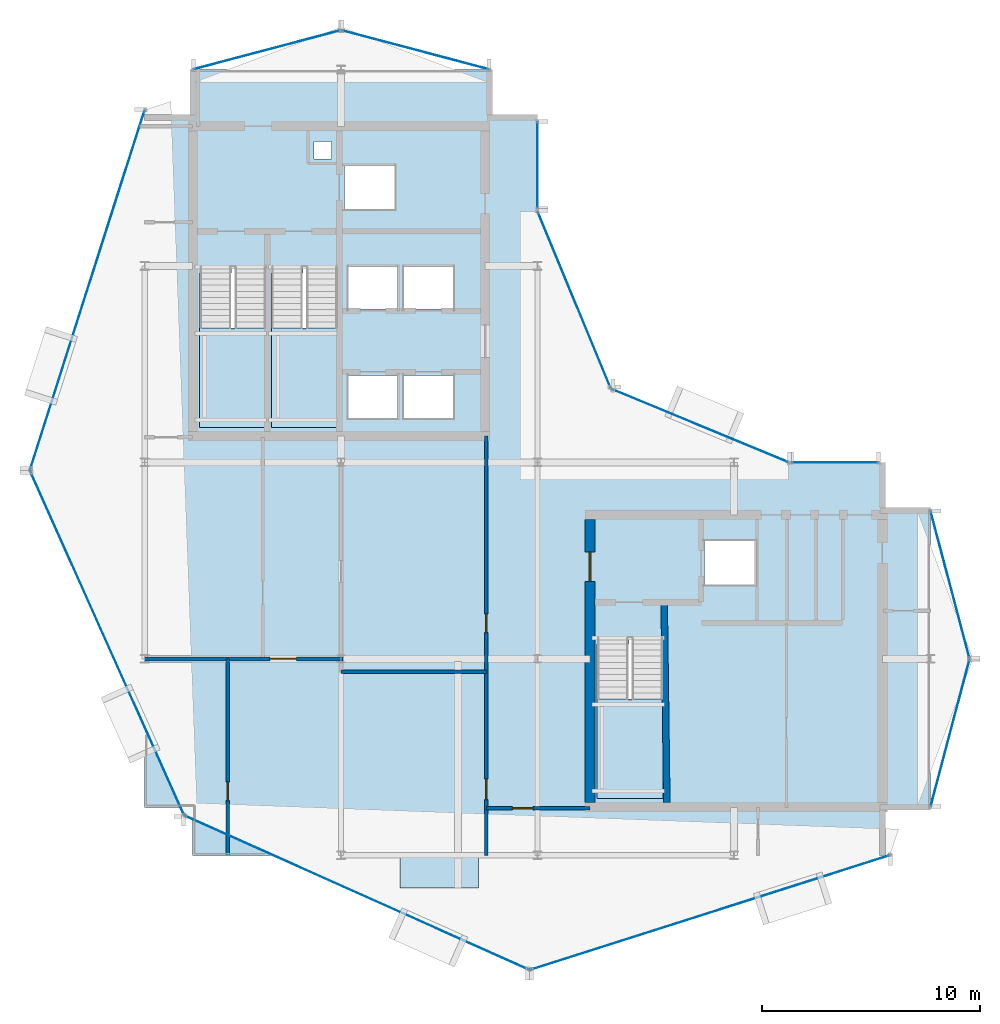
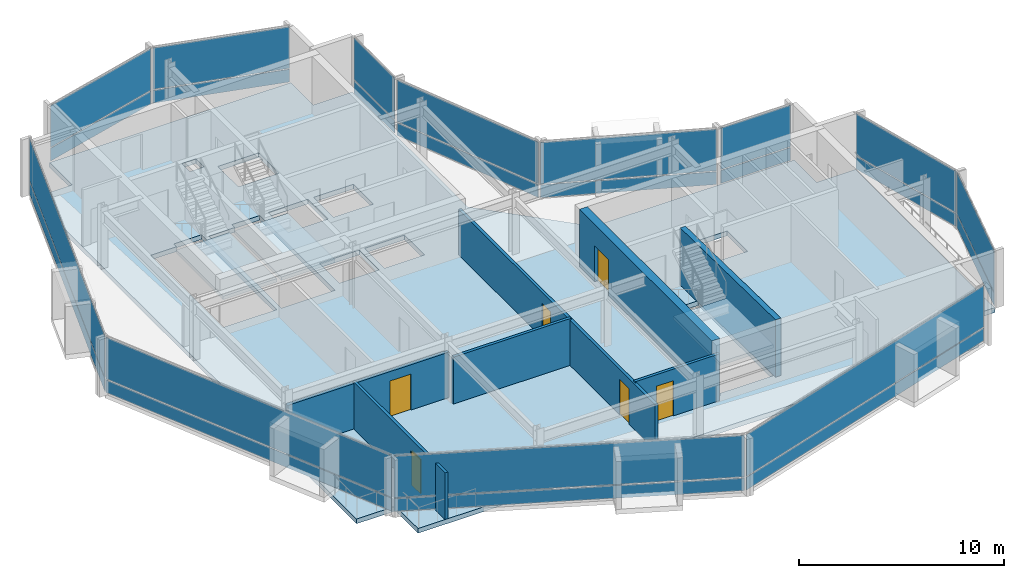
# One storey, part 13 of 19: 24 plates, 7 walls, 6 doors, 5 slabs, 6 openings, 15 elements without a shape of their own.
"""IFC4 building model written with IfcOpenShell, lengths in metres."""

from ifc_helpers import new_model, si_unit, direction, frame, frame_2d, origin, origin_2d, place, context, subcontext, project, spatial, polyline, rectangle, outline, extrude, material, layer, layer_set, type_object, element, fill, aggregate, save


model = new_model("IFC4")

# Units and contexts
model_context = context("Model", 3, precision=1e-05, world=origin(), true_north=direction((0.0, 1.0)))
body_context = subcontext(model_context, "Body", "Model", "MODEL_VIEW")
ifc_project = project(units=[si_unit("LENGTHUNIT", "METRE"), si_unit("AREAUNIT", "SQUARE_METRE"), si_unit("VOLUMEUNIT", "CUBIC_METRE"), si_unit("PLANEANGLEUNIT", "RADIAN"), si_unit("MASSUNIT", "GRAM", prefix="KILO")], contexts=[model_context])

# Site, building, storey
site_placement = place(None, origin())
site = spatial("IfcSite", under=ifc_project, at=site_placement, CompositionType="ELEMENT")
building_placement = place(site_placement, origin())
building = spatial("IfcBuilding", under=site, at=building_placement, Name="Solvaryn Broadcast Tower", CompositionType="ELEMENT")
storey_placement = place(building_placement, frame((0.0, 0.0, 274.10009765625)))
storey = spatial("IfcBuildingStorey", under=building, at=storey_placement, Name="L69", CompositionType="ELEMENT", Elevation=274.10009765625)

# Curtain wall, plates
ifc_material_1 = material(Name="Aluminium and Terracotta Unitised Curtain Wall", Category="masonry")
ifc_layer_1 = layer(ifc_material_1, 0.199951171875)
ifc_layer_set_1 = layer_set([ifc_layer_1], Name="CW-SYS2-LOWMID")
curtain_wall_type = type_object("IfcCurtainWallType", Name="CW-SYS2-LOWMID", PredefinedType="NOTDEFINED", material=ifc_layer_set_1)
curtain_wall_1_placement = place(storey_placement, origin())
curtain_wall_1 = element("IfcCurtainWall", 1, at=curtain_wall_1_placement, inside=storey, type_object=curtain_wall_type, Name="L69 Curtain Wall DR1", PredefinedType="NOTDEFINED")
ifc_material_2 = material(Name="Low-Iron Insulated Vision Glass", Category="glass")
ifc_layer_2 = layer(ifc_material_2, 0.035888671875)
ifc_layer_set_2 = layer_set([ifc_layer_2], Name="CW-PNL-VISION")
plate_type = type_object("IfcPlateType", Name="CW-PNL-VISION", PredefinedType="CURTAIN_PANEL", material=ifc_layer_set_2)
plate_1_placement = place(storey_placement, frame((6.368896484375, 34.892578125, 0.06005859375), z_axis=(0.0, 0.0, 1.0), x_axis=(-0.30361564569, -0.952794594701, 0.0)))
plate_1 = element("IfcPlate", 2, at=plate_1_placement, type_object=plate_type, Name="CWS2 panel 1.1", PredefinedType="CURTAIN_PANEL", context=body_context, shape_type="SweptSolid", body=[
    extrude(rectangle(XDim=17.211181640625, YDim=0.028076171875, at=origin_2d()), origin(), (0.0, 0.0, 1.0), 0.760009765625),
])
plate_2_placement = place(storey_placement, frame((6.368896484375, 34.892578125, 0.8798828125), z_axis=(0.0, 0.0, 1.0), x_axis=(-0.30361564569, -0.952794594701, 0.0)))
plate_2 = element("IfcPlate", 3, at=plate_2_placement, type_object=plate_type, Name="CWS2 panel 1.2", PredefinedType="CURTAIN_PANEL", context=body_context, shape_type="SweptSolid", body=[
    extrude(rectangle(XDim=17.211181640625, YDim=0.028076171875, at=origin_2d()), origin(), (0.0, 0.0, 1.0), 2.47998046875),
])
aggregate(curtain_wall_1, [plate_1, plate_2])

curtain_wall_2_placement = place(storey_placement, origin())
curtain_wall_2 = element("IfcCurtainWall", 4, at=curtain_wall_2_placement, inside=storey, type_object=curtain_wall_type, Name="L69 Curtain Wall DR2", PredefinedType="NOTDEFINED")
plate_3_placement = place(storey_placement, frame((7.277587890625, 18.7265625, 0.06005859375), z_axis=(0.0, 0.0, 1.0), x_axis=(0.408466010682, -0.912773530574, 0.0)))
plate_3 = element("IfcPlate", 5, at=plate_3_placement, type_object=plate_type, Name="CWS2 panel 1.1", PredefinedType="CURTAIN_PANEL", context=body_context, shape_type="SweptSolid", body=[
    extrude(rectangle(XDim=17.210693359375, YDim=0.028076171875, at=origin_2d()), origin(), (0.0, 0.0, 1.0), 0.760009765625),
])
plate_4_placement = place(storey_placement, frame((7.277587890625, 18.7265625, 0.8798828125), z_axis=(0.0, 0.0, 1.0), x_axis=(0.408466010682, -0.912773530574, 0.0)))
plate_4 = element("IfcPlate", 6, at=plate_4_placement, type_object=plate_type, Name="CWS2 panel 1.2", PredefinedType="CURTAIN_PANEL", context=body_context, shape_type="SweptSolid", body=[
    extrude(rectangle(XDim=17.210693359375, YDim=0.028076171875, at=origin_2d()), origin(), (0.0, 0.0, 1.0), 2.47998046875),
])
aggregate(curtain_wall_2, [plate_3, plate_4])

curtain_wall_3_placement = place(storey_placement, origin())
curtain_wall_3 = element("IfcCurtainWall", 7, at=curtain_wall_3_placement, inside=storey, type_object=curtain_wall_type, Name="L69 Curtain Wall DR3", PredefinedType="NOTDEFINED")
plate_5_placement = place(storey_placement, frame((18.7265625, 7.277587890625, 0.06005859375), z_axis=(0.0, 0.0, 1.0), x_axis=(0.912773530574, -0.408466010682, 0.0)))
plate_5 = element("IfcPlate", 8, at=plate_5_placement, type_object=plate_type, Name="CWS2 panel 1.1", PredefinedType="CURTAIN_PANEL", context=body_context, shape_type="SweptSolid", body=[
    extrude(rectangle(XDim=17.210693359375, YDim=0.028076171875, at=origin_2d()), origin(), (0.0, 0.0, 1.0), 0.760009765625),
])
plate_6_placement = place(storey_placement, frame((18.7265625, 7.277587890625, 0.8798828125), z_axis=(0.0, 0.0, 1.0), x_axis=(0.912773530574, -0.408466010682, 0.0)))
plate_6 = element("IfcPlate", 9, at=plate_6_placement, type_object=plate_type, Name="CWS2 panel 1.2", PredefinedType="CURTAIN_PANEL", context=body_context, shape_type="SweptSolid", body=[
    extrude(rectangle(XDim=17.210693359375, YDim=0.028076171875, at=origin_2d()), origin(), (0.0, 0.0, 1.0), 2.47998046875),
])
aggregate(curtain_wall_3, [plate_5, plate_6])

curtain_wall_4_placement = place(storey_placement, origin())
curtain_wall_4 = element("IfcCurtainWall", 10, at=curtain_wall_4_placement, inside=storey, type_object=curtain_wall_type, Name="L69 Curtain Wall DR4", PredefinedType="NOTDEFINED")
plate_7_placement = place(storey_placement, frame((34.892578125, 6.368896484375, 0.06005859375), z_axis=(0.0, 0.0, 1.0), x_axis=(0.952794594701, 0.30361564569, 0.0)))
plate_7 = element("IfcPlate", 11, at=plate_7_placement, type_object=plate_type, Name="CWS2 panel 1.1", PredefinedType="CURTAIN_PANEL", context=body_context, shape_type="SweptSolid", body=[
    extrude(rectangle(XDim=17.211181640625, YDim=0.028076171875, at=origin_2d()), origin(), (0.0, 0.0, 1.0), 0.760009765625),
])
plate_8_placement = place(storey_placement, frame((34.892578125, 6.368896484375, 0.8798828125), z_axis=(0.0, 0.0, 1.0), x_axis=(0.952794594701, 0.30361564569, 0.0)))
plate_8 = element("IfcPlate", 12, at=plate_8_placement, type_object=plate_type, Name="CWS2 panel 1.2", PredefinedType="CURTAIN_PANEL", context=body_context, shape_type="SweptSolid", body=[
    extrude(rectangle(XDim=17.211181640625, YDim=0.028076171875, at=origin_2d()), origin(), (0.0, 0.0, 1.0), 2.47998046875),
])
aggregate(curtain_wall_4, [plate_7, plate_8])

curtain_wall_5_placement = place(storey_placement, origin())
curtain_wall_5 = element("IfcCurtainWall", 13, at=curtain_wall_5_placement, inside=storey, type_object=curtain_wall_type, Name="L69 Curtain Wall IV", PredefinedType="NOTDEFINED")
plate_9_placement = place(storey_placement, frame((27.0, 40.625, 0.06005859375), z_axis=(0.0, 0.0, 1.0), x_axis=(0.0, -1.0, 0.0)))
plate_9 = element("IfcPlate", 14, at=plate_9_placement, type_object=plate_type, Name="CWS2 panel 1.1", PredefinedType="CURTAIN_PANEL", context=body_context, shape_type="SweptSolid", body=[
    extrude(rectangle(XDim=3.929931640625, YDim=0.028076171875, at=origin_2d()), origin(), (0.0, 0.0, 1.0), 0.760009765625),
])
plate_10_placement = place(storey_placement, frame((27.0, 40.625, 0.8798828125), z_axis=(0.0, 0.0, 1.0), x_axis=(0.0, -1.0, 0.0)))
plate_10 = element("IfcPlate", 15, at=plate_10_placement, type_object=plate_type, Name="CWS2 panel 1.2", PredefinedType="CURTAIN_PANEL", context=body_context, shape_type="SweptSolid", body=[
    extrude(rectangle(XDim=3.929931640625, YDim=0.028076171875, at=origin_2d()), origin(), (0.0, 0.0, 1.0), 2.47998046875),
])
aggregate(curtain_wall_5, [plate_9, plate_10])

curtain_wall_6_placement = place(storey_placement, origin())
curtain_wall_6 = element("IfcCurtainWall", 16, at=curtain_wall_6_placement, inside=storey, type_object=curtain_wall_type, Name="L69 Curtain Wall CN1", PredefinedType="NOTDEFINED")
plate_11_placement = place(storey_placement, frame((34.43408203125, 28.68408203125, 0.06005859375), z_axis=(0.0, 0.0, 1.0), x_axis=(-0.923894983957, 0.382646127145, 0.0)))
plate_11 = element("IfcPlate", 17, at=plate_11_placement, type_object=plate_type, Name="CWS2 panel 1.1", PredefinedType="CURTAIN_PANEL", context=body_context, shape_type="SweptSolid", body=[
    extrude(rectangle(XDim=8.681884765625, YDim=0.028076171875, at=origin_2d()), origin(), (0.0, 0.0, 1.0), 0.760009765625),
])
plate_12_placement = place(storey_placement, frame((34.43408203125, 28.68408203125, 0.8798828125), z_axis=(0.0, 0.0, 1.0), x_axis=(-0.923894983957, 0.382646127145, 0.0)))
plate_12 = element("IfcPlate", 18, at=plate_12_placement, type_object=plate_type, Name="CWS2 panel 1.2", PredefinedType="CURTAIN_PANEL", context=body_context, shape_type="SweptSolid", body=[
    extrude(rectangle(XDim=8.681884765625, YDim=0.028076171875, at=origin_2d()), origin(), (0.0, 0.0, 1.0), 2.47998046875),
])
aggregate(curtain_wall_6, [plate_11, plate_12])

curtain_wall_7_placement = place(storey_placement, origin())
curtain_wall_7 = element("IfcCurtainWall", 19, at=curtain_wall_7_placement, inside=storey, type_object=curtain_wall_type, Name="L69 Curtain Wall CN2", PredefinedType="NOTDEFINED")
plate_13_placement = place(storey_placement, frame((28.68408203125, 34.43408203125, 0.06005859375), z_axis=(0.0, 0.0, 1.0), x_axis=(-0.382646127145, 0.923894983957, 0.0)))
plate_13 = element("IfcPlate", 20, at=plate_13_placement, type_object=plate_type, Name="CWS2 panel 1.1", PredefinedType="CURTAIN_PANEL", context=body_context, shape_type="SweptSolid", body=[
    extrude(rectangle(XDim=8.681884765625, YDim=0.028076171875, at=origin_2d()), origin(), (0.0, 0.0, 1.0), 0.760009765625),
])
plate_14_placement = place(storey_placement, frame((28.68408203125, 34.43408203125, 0.8798828125), z_axis=(0.0, 0.0, 1.0), x_axis=(-0.382646127145, 0.923894983957, 0.0)))
plate_14 = element("IfcPlate", 21, at=plate_14_placement, type_object=plate_type, Name="CWS2 panel 1.2", PredefinedType="CURTAIN_PANEL", context=body_context, shape_type="SweptSolid", body=[
    extrude(rectangle(XDim=8.681884765625, YDim=0.028076171875, at=origin_2d()), origin(), (0.0, 0.0, 1.0), 2.47998046875),
])
aggregate(curtain_wall_7, [plate_13, plate_14])

curtain_wall_8_placement = place(storey_placement, origin())
curtain_wall_8 = element("IfcCurtainWall", 22, at=curtain_wall_8_placement, inside=storey, type_object=curtain_wall_type, Name="L69 Curtain Wall NT1", PredefinedType="NOTDEFINED")
plate_15_placement = place(storey_placement, frame((21.39990234375, 45.89990234375, 0.06005859375), z_axis=(0.0, 0.0, 1.0), x_axis=(-0.966705227863, 0.25589256031, 0.0)))
plate_15 = element("IfcPlate", 23, at=plate_15_placement, type_object=plate_type, Name="CWS2 panel 1.1", PredefinedType="CURTAIN_PANEL", context=body_context, shape_type="SweptSolid", body=[
    extrude(rectangle(XDim=6.914306640625, YDim=0.028076171875, at=origin_2d()), origin(), (0.0, 0.0, 1.0), 0.760009765625),
])
plate_16_placement = place(storey_placement, frame((21.39990234375, 45.89990234375, 0.8798828125), z_axis=(0.0, 0.0, 1.0), x_axis=(-0.966705227863, 0.25589256031, 0.0)))
plate_16 = element("IfcPlate", 24, at=plate_16_placement, type_object=plate_type, Name="CWS2 panel 1.2", PredefinedType="CURTAIN_PANEL", context=body_context, shape_type="SweptSolid", body=[
    extrude(rectangle(XDim=6.914306640625, YDim=0.028076171875, at=origin_2d()), origin(), (0.0, 0.0, 1.0), 2.47998046875),
])
aggregate(curtain_wall_8, [plate_15, plate_16])

curtain_wall_9_placement = place(storey_placement, origin())
curtain_wall_9 = element("IfcCurtainWall", 25, at=curtain_wall_9_placement, inside=storey, type_object=curtain_wall_type, Name="L69 Curtain Wall NT2", PredefinedType="NOTDEFINED")
plate_17_placement = place(storey_placement, frame((14.60009765625, 45.89990234375, 0.06005859375), z_axis=(0.0, 0.0, 1.0), x_axis=(-0.966705227863, -0.25589256031, 0.0)))
plate_17 = element("IfcPlate", 26, at=plate_17_placement, type_object=plate_type, Name="CWS2 panel 1.1", PredefinedType="CURTAIN_PANEL", context=body_context, shape_type="SweptSolid", body=[
    extrude(rectangle(XDim=6.914306640625, YDim=0.028076171875, at=origin_2d()), origin(), (0.0, 0.0, 1.0), 0.760009765625),
])
plate_18_placement = place(storey_placement, frame((14.60009765625, 45.89990234375, 0.8798828125), z_axis=(0.0, 0.0, 1.0), x_axis=(-0.966705227863, -0.25589256031, 0.0)))
plate_18 = element("IfcPlate", 27, at=plate_18_placement, type_object=plate_type, Name="CWS2 panel 1.2", PredefinedType="CURTAIN_PANEL", context=body_context, shape_type="SweptSolid", body=[
    extrude(rectangle(XDim=6.914306640625, YDim=0.028076171875, at=origin_2d()), origin(), (0.0, 0.0, 1.0), 2.47998046875),
])
aggregate(curtain_wall_9, [plate_17, plate_18])

curtain_wall_10_placement = place(storey_placement, origin())
curtain_wall_10 = element("IfcCurtainWall", 28, at=curtain_wall_10_placement, inside=storey, type_object=curtain_wall_type, Name="L69 Curtain Wall ET1", PredefinedType="NOTDEFINED")
plate_19_placement = place(storey_placement, frame((45.89990234375, 21.39990234375, 0.06005859375), z_axis=(0.0, 0.0, 1.0), x_axis=(0.25589256031, -0.966705227863, 0.0)))
plate_19 = element("IfcPlate", 29, at=plate_19_placement, type_object=plate_type, Name="CWS2 panel 1.1", PredefinedType="CURTAIN_PANEL", context=body_context, shape_type="SweptSolid", body=[
    extrude(rectangle(XDim=6.914306640625, YDim=0.028076171875, at=origin_2d()), origin(), (0.0, 0.0, 1.0), 0.760009765625),
])
plate_20_placement = place(storey_placement, frame((45.89990234375, 21.39990234375, 0.8798828125), z_axis=(0.0, 0.0, 1.0), x_axis=(0.25589256031, -0.966705227863, 0.0)))
plate_20 = element("IfcPlate", 30, at=plate_20_placement, type_object=plate_type, Name="CWS2 panel 1.2", PredefinedType="CURTAIN_PANEL", context=body_context, shape_type="SweptSolid", body=[
    extrude(rectangle(XDim=6.914306640625, YDim=0.028076171875, at=origin_2d()), origin(), (0.0, 0.0, 1.0), 2.47998046875),
])
aggregate(curtain_wall_10, [plate_19, plate_20])

curtain_wall_11_placement = place(storey_placement, origin())
curtain_wall_11 = element("IfcCurtainWall", 31, at=curtain_wall_11_placement, inside=storey, type_object=curtain_wall_type, Name="L69 Curtain Wall ET2", PredefinedType="NOTDEFINED")
plate_21_placement = place(storey_placement, frame((45.89990234375, 14.60009765625, 0.06005859375), z_axis=(0.0, 0.0, 1.0), x_axis=(-0.25589256031, -0.966705227863, 0.0)))
plate_21 = element("IfcPlate", 32, at=plate_21_placement, type_object=plate_type, Name="CWS2 panel 1.1", PredefinedType="CURTAIN_PANEL", context=body_context, shape_type="SweptSolid", body=[
    extrude(rectangle(XDim=6.914306640625, YDim=0.028076171875, at=origin_2d()), origin(), (0.0, 0.0, 1.0), 0.760009765625),
])
plate_22_placement = place(storey_placement, frame((45.89990234375, 14.60009765625, 0.8798828125), z_axis=(0.0, 0.0, 1.0), x_axis=(-0.25589256031, -0.966705227863, 0.0)))
plate_22 = element("IfcPlate", 33, at=plate_22_placement, type_object=plate_type, Name="CWS2 panel 1.2", PredefinedType="CURTAIN_PANEL", context=body_context, shape_type="SweptSolid", body=[
    extrude(rectangle(XDim=6.914306640625, YDim=0.028076171875, at=origin_2d()), origin(), (0.0, 0.0, 1.0), 2.47998046875),
])
aggregate(curtain_wall_11, [plate_21, plate_22])

curtain_wall_12_placement = place(storey_placement, origin())
curtain_wall_12 = element("IfcCurtainWall", 34, at=curtain_wall_12_placement, inside=storey, type_object=curtain_wall_type, Name="L69 Curtain Wall IH", PredefinedType="NOTDEFINED")
plate_23_placement = place(storey_placement, frame((40.625, 27.0, 0.06005859375), z_axis=(0.0, 0.0, 1.0), x_axis=(1.0, 0.0, 0.0)))
plate_23 = element("IfcPlate", 35, at=plate_23_placement, type_object=plate_type, Name="CWS2 panel 1.1", PredefinedType="CURTAIN_PANEL", context=body_context, shape_type="SweptSolid", body=[
    extrude(rectangle(XDim=3.929931640625, YDim=0.028076171875, at=origin_2d()), origin(), (0.0, 0.0, 1.0), 0.760009765625),
])
plate_24_placement = place(storey_placement, frame((40.625, 27.0, 0.8798828125), z_axis=(0.0, 0.0, 1.0), x_axis=(1.0, 0.0, 0.0)))
plate_24 = element("IfcPlate", 36, at=plate_24_placement, type_object=plate_type, Name="CWS2 panel 1.2", PredefinedType="CURTAIN_PANEL", context=body_context, shape_type="SweptSolid", body=[
    extrude(rectangle(XDim=3.929931640625, YDim=0.028076171875, at=origin_2d()), origin(), (0.0, 0.0, 1.0), 2.47998046875),
])
aggregate(curtain_wall_12, [plate_23, plate_24])

# Slab
ifc_material_3 = material(Name="Concrete f'c 60 MPa", Category="concrete")
ifc_layer_3 = layer(ifc_material_3, 0.2099609375)
ifc_layer_set_3 = layer_set([ifc_layer_3], Name="SL-BAYBOX-210")
slab_type_1 = type_object("IfcSlabType", Name="SL-BAYBOX-210", PredefinedType="FLOOR", material=ifc_layer_set_3)
slab_1_placement = place(storey_placement, frame((0.0, 0.0, -0.210205078125)))
element("IfcSlab", 37, at=slab_1_placement, inside=storey, type_object=slab_type_1, Name="L69 Projecting Bay-Box Slab 1", PredefinedType="FLOOR", context=body_context, shape_type="SweptSolid", body=[
    extrude(outline(polyline([(20.699951171875, 7.5), (24.300048828125, 7.5), (24.300048828125, 9.0), (20.699951171875, 9.0), (20.699951171875, 7.5)])), origin(), (0.0, 0.0, 1.0), 0.210205078125),
])

# Stair, slab
ifc_material_4 = material(Name="Concrete f'c 60 MPa", Category="concrete")
stair_type = type_object("IfcStairType", Name="ST-CORE", PredefinedType="HALF_TURN_STAIR", material=ifc_material_4)
stair_1_placement = place(storey_placement, origin())
stair_1 = element("IfcStair", 38, at=stair_1_placement, inside=storey, type_object=stair_type, Name="L69 ST1", PredefinedType="HALF_TURN_STAIR")
ifc_material_5 = material(Name="Concrete f'c 60 MPa", Category="concrete")
ifc_layer_4 = layer(ifc_material_5, 0.199951171875)
ifc_layer_set_4 = layer_set([ifc_layer_4], Name="SL-LANDING-200")
slab_type_2 = type_object("IfcSlabType", Name="SL-LANDING-200", PredefinedType="LANDING", material=ifc_layer_set_4)
slab_2_placement = place(storey_placement, frame((0.0, 0.0, 1.64990234375)))
slab_2 = element("IfcSlab", 39, at=slab_2_placement, type_object=slab_type_2, Name="ST1 landing 1", PredefinedType="LANDING", context=body_context, shape_type="SweptSolid", body=[
    extrude(outline(polyline([(11.52001953125, 33.159912109375), (11.52001953125, 28.60009765625), (14.550048828125, 28.60009765625), (14.550048828125, 33.159912109375), (11.52001953125, 33.159912109375)])), origin(), (0.0, 0.0, 1.0), 0.199951171875),
])
aggregate(stair_1, [slab_2])

stair_2_placement = place(storey_placement, origin())
stair_2 = element("IfcStair", 40, at=stair_2_placement, inside=storey, type_object=stair_type, Name="L69 ST2", PredefinedType="HALF_TURN_STAIR")
slab_3_placement = place(storey_placement, frame((0.0, 0.0, 1.64990234375)))
slab_3 = element("IfcSlab", 41, at=slab_3_placement, type_object=slab_type_2, Name="ST2 landing 1", PredefinedType="LANDING", context=body_context, shape_type="SweptSolid", body=[
    extrude(outline(polyline([(14.800048828125, 33.159912109375), (14.800048828125, 28.60009765625), (17.830078125, 28.60009765625), (17.830078125, 33.159912109375), (14.800048828125, 33.159912109375)])), origin(), (0.0, 0.0, 1.0), 0.199951171875),
])
aggregate(stair_2, [slab_3])

stair_3_placement = place(storey_placement, origin())
stair_3 = element("IfcStair", 42, at=stair_3_placement, inside=storey, type_object=stair_type, Name="L69 ST3", PredefinedType="HALF_TURN_STAIR")
slab_4_placement = place(storey_placement, frame((0.0, 0.0, 1.64990234375)))
slab_4 = element("IfcSlab", 43, at=slab_4_placement, type_object=slab_type_2, Name="ST3 landing 1", PredefinedType="LANDING", context=body_context, shape_type="SweptSolid", body=[
    extrude(outline(polyline([(29.719970703125, 16.159912109375), (29.719970703125, 11.60009765625), (32.75, 11.60009765625), (32.75, 16.159912109375), (29.719970703125, 16.159912109375)])), origin(), (0.0, 0.0, 1.0), 0.199951171875),
])
aggregate(stair_3, [slab_4])

# Slab
ifc_material_6 = material(Name="Concrete f'c 60 MPa", Category="concrete")
ifc_layer_5 = layer(ifc_material_6, 0.280029296875)
ifc_layer_set_5 = layer_set([ifc_layer_5], Name="SL-TWR-280")
slab_type_3 = type_object("IfcSlabType", Name="SL-TWR-280", PredefinedType="FLOOR", material=ifc_layer_set_5)
slab_5_placement = place(storey_placement, frame((0.0, 0.0, -0.280029296875)))
element("IfcSlab", 44, at=slab_5_placement, inside=storey, type_object=slab_type_3, Name="L69 Structural Floor Slab", PredefinedType="FLOOR", context=body_context, shape_type="SweptSolid", body=[
    extrude(outline(polyline([(11.199951171875, 9.0), (42.800048828125, 9.0), (42.800048828125, 11.199951171875), (45.0, 11.199951171875), (45.0, 24.800048828125), (42.800048828125, 24.800048828125), (42.800048828125, 27.0), (31.5, 27.0), (27.0, 31.5), (27.0, 42.800048828125), (24.800048828125, 42.800048828125), (24.800048828125, 45.0), (11.199951171875, 45.0), (11.199951171875, 42.800048828125), (9.0, 42.800048828125), (9.0, 11.199951171875), (11.199951171875, 11.199951171875), (11.199951171875, 9.0)]), holes=[polyline([(11.52001953125, 28.60009765625), (14.550048828125, 28.60009765625), (14.550048828125, 35.9599609375), (12.97998046875, 35.9599609375), (12.97998046875, 35.679931640625), (11.52001953125, 35.679931640625), (11.52001953125, 28.60009765625)]), polyline([(14.800048828125, 28.60009765625), (17.830078125, 28.60009765625), (17.830078125, 35.9599609375), (16.260009765625, 35.9599609375), (16.260009765625, 35.679931640625), (14.800048828125, 35.679931640625), (14.800048828125, 28.60009765625)]), polyline([(29.719970703125, 11.60009765625), (32.75, 11.60009765625), (32.75, 18.9599609375), (31.179931640625, 18.9599609375), (31.179931640625, 18.679931640625), (29.719970703125, 18.679931640625), (29.719970703125, 11.60009765625)]), polyline([(18.14990234375, 38.60009765625), (20.449951171875, 38.60009765625), (20.449951171875, 40.60009765625), (18.14990234375, 40.60009765625), (18.14990234375, 38.60009765625)]), polyline([(18.324951171875, 29.02490234375), (20.574951171875, 29.02490234375), (20.574951171875, 30.97509765625), (18.324951171875, 30.97509765625), (18.324951171875, 29.02490234375)]), polyline([(20.875, 29.02490234375), (23.125, 29.02490234375), (23.125, 30.97509765625), (20.875, 30.97509765625), (20.875, 29.02490234375)]), polyline([(18.324951171875, 34.02490234375), (20.574951171875, 34.02490234375), (20.574951171875, 35.97509765625), (18.324951171875, 35.97509765625), (18.324951171875, 34.02490234375)]), polyline([(20.875, 34.02490234375), (23.125, 34.02490234375), (23.125, 35.97509765625), (20.875, 35.97509765625), (20.875, 34.02490234375)]), polyline([(34.64990234375, 21.39990234375), (36.949951171875, 21.39990234375), (36.949951171875, 23.39990234375), (34.64990234375, 23.39990234375), (34.64990234375, 21.39990234375)]), polyline([(16.75, 40.89990234375), (17.550048828125, 40.89990234375), (17.550048828125, 41.699951171875), (16.75, 41.699951171875), (16.75, 40.89990234375)])]), origin(), (0.0, 0.0, 1.0), 0.280029296875),
])

# Wall, opening, door
ifc_material_7 = material(Name="Concrete f'c 70 MPa", Category="concrete")
ifc_layer_6 = layer(ifc_material_7, 0.449951171875)
ifc_layer_set_6 = layer_set([ifc_layer_6], Name="CW-SHEAR-450")
wall_type_1 = type_object("IfcWallType", Name="CW-SHEAR-450", PredefinedType="SHEAR", material=ifc_layer_set_6)
wall_1_placement = place(storey_placement, frame((29.39990234375, 24.375, 0.0), z_axis=(0.0, 0.0, 1.0), x_axis=(0.0, -1.0, 0.0)))
wall_1 = element("IfcWall", 45, at=wall_1_placement, inside=storey, type_object=wall_type_1, Name="L69 East Core West Shear Wall", PredefinedType="SHEAR", context=body_context, shape_type="SweptSolid", body=[
    extrude(rectangle(XDim=12.949951171875, YDim=0.449951171875, at=frame_2d((6.47509765625, 0.0))), origin(), (0.0, 0.0, 1.0), 3.419921875),
])
opening_1_placement = place(wall_1_placement, frame((1.47509765625, 0.0, 0.0)))
opening_1 = element("IfcOpeningElement", 46, at=opening_1_placement, cuts=wall_1, Name="Opening FD90B", PredefinedType="OPENING", context=body_context, shape_type="SweptSolid", body=[
    extrude(rectangle(XDim=1.35009765625, YDim=2.14990234375, at=frame_2d((0.675048828125, 1.074951171875))), frame((0.0, 0.235107421875, 0.0), z_axis=(0.0, -1.0, 0.0), x_axis=(1.0, 0.0, 0.0)), (0.0, 0.0, 1.0), 0.469970703125),
])
ifc_material_8 = material(Name="Flush Acoustic Steel and Timber Door Assembly", Category="steel")
door_type_1 = type_object("IfcDoorType", Name="FD90-LOBBY-1350X2150", OperationType="NOTDEFINED", PredefinedType="DOOR", material=ifc_material_8)
door_1_placement = place(opening_1_placement, origin())
door_1 = element("IfcDoor", 47, at=door_1_placement, inside=storey, type_object=door_type_1, Name="L69 East FSAE Lobby Door", OperationType="SINGLE_SWING_RIGHT", OverallHeight=2.14990234375, OverallWidth=1.35009765625, PredefinedType="DOOR", context=body_context, shape_type="SweptSolid", body=[
    extrude(rectangle(XDim=1.35009765625, YDim=2.14990234375, at=frame_2d((0.675048828125, 1.074951171875))), frame((0.0, 0.02490234375, 0.0), z_axis=(0.0, -1.0, 0.0), x_axis=(1.0, 0.0, 0.0)), (0.0, 0.0, 1.0), 0.050048828125),
])
fill(opening_1, door_1)

# Wall, openings, doors
ifc_material_9 = material(Name="Metal-Stud Gypsum Office Partition")
ifc_layer_7 = layer(ifc_material_9, 0.159912109375)
ifc_layer_set_7 = layer_set([ifc_layer_7], Name="IW-PART-160")
wall_type_2 = type_object("IfcWallType", Name="IW-PART-160", PredefinedType="PARTITIONING", material=ifc_layer_set_7)
wall_2_placement = place(storey_placement, frame((24.64990234375, 9.0, 0.0), z_axis=(0.0, 0.0, 1.0), x_axis=(0.0, 1.0, 0.0)))
wall_2 = element("IfcWall", 48, at=wall_2_placement, inside=storey, type_object=wall_type_2, Name="L69 Interior Partition IW-L69-SW-EB", PredefinedType="PARTITIONING", context=body_context, shape_type="SweptSolid", body=[
    extrude(rectangle(XDim=19.199951171875, YDim=0.159912109375, at=frame_2d((9.60009765625, 0.0))), origin(), (0.0, 0.0, 1.0), 2.706787109375),
])
opening_2_placement = place(wall_2_placement, frame((10.199951171875, 0.0, 0.0)))
opening_2 = element("IfcOpeningElement", 49, at=opening_2_placement, cuts=wall_2, Name="Opening ID07", PredefinedType="OPENING", context=body_context, shape_type="SweptSolid", body=[
    extrude(rectangle(XDim=0.860107421875, YDim=2.050048828125, at=frame_2d((0.43017578125, 1.02490234375))), frame((0.0, 0.090087890625, 0.0), z_axis=(0.0, -1.0, 0.0), x_axis=(1.0, 0.0, 0.0)), (0.0, 0.0, 1.0), 0.179931640625),
])
opening_3_placement = place(wall_2_placement, frame((2.550048828125, 0.0, 0.0)))
opening_3 = element("IfcOpeningElement", 50, at=opening_3_placement, cuts=wall_2, Name="Opening ID01", PredefinedType="OPENING", context=body_context, shape_type="SweptSolid", body=[
    extrude(rectangle(XDim=0.949951171875, YDim=2.10009765625, at=frame_2d((0.47509765625, 1.050048828125))), frame((0.0, 0.090087890625, 0.0), z_axis=(0.0, -1.0, 0.0), x_axis=(1.0, 0.0, 0.0)), (0.0, 0.0, 1.0), 0.179931640625),
])
ifc_material_10 = material(Name="Flush Acoustic Steel and Timber Door Assembly", Category="steel")
door_type_2 = type_object("IfcDoorType", Name="ID-01-950X2100", OperationType="NOTDEFINED", PredefinedType="DOOR", material=ifc_material_10)
door_2_placement = place(opening_3_placement, origin())
door_2 = element("IfcDoor", 51, at=door_2_placement, inside=storey, type_object=door_type_2, Name="L69 Door DR-L69-SWL-E2", OperationType="SINGLE_SWING_LEFT", OverallHeight=2.10009765625, OverallWidth=0.949951171875, PredefinedType="DOOR", context=body_context, shape_type="SweptSolid", body=[
    extrude(rectangle(XDim=0.949951171875, YDim=2.10009765625, at=frame_2d((0.47509765625, 1.050048828125))), frame((0.0, 0.02490234375, 0.0), z_axis=(0.0, -1.0, 0.0), x_axis=(1.0, 0.0, 0.0)), (0.0, 0.0, 1.0), 0.050048828125),
])
fill(opening_3, door_2)
ifc_material_11 = material(Name="Flush Acoustic Steel and Timber Door Assembly", Category="steel")
door_type_3 = type_object("IfcDoorType", Name="ID-07-860X2050", OperationType="NOTDEFINED", PredefinedType="DOOR", material=ifc_material_11)
door_3_placement = place(opening_2_placement, origin())
door_3 = element("IfcDoor", 52, at=door_3_placement, inside=storey, type_object=door_type_3, Name="L69 Door DR-L69-SWL-E1", OperationType="SINGLE_SWING_RIGHT", OverallHeight=2.050048828125, OverallWidth=0.860107421875, PredefinedType="DOOR", context=body_context, shape_type="SweptSolid", body=[
    extrude(rectangle(XDim=0.860107421875, YDim=2.050048828125, at=frame_2d((0.43017578125, 1.02490234375))), frame((0.0, 0.02490234375, 0.0), z_axis=(0.0, -1.0, 0.0), x_axis=(1.0, 0.0, 0.0)), (0.0, 0.0, 1.0), 0.050048828125),
])
fill(opening_2, door_3)

# Wall
wall_3_placement = place(storey_placement, frame((18.0, 17.39990234375, 0.0), z_axis=(0.0, 0.0, 1.0), x_axis=(1.0, 0.0, 0.0)))
element("IfcWall", 53, at=wall_3_placement, inside=storey, type_object=wall_type_2, Name="L69 Interior Partition IW-L69-SW-RH", PredefinedType="PARTITIONING", context=body_context, shape_type="SweptSolid", body=[
    extrude(rectangle(XDim=6.64990234375, YDim=0.159912109375, at=frame_2d((3.324951171875, 0.0))), origin(), (0.0, 0.0, 1.0), 2.788818359375),
])

# Wall, opening, door
wall_4_placement = place(storey_placement, frame((12.800048828125, 9.0, 0.0), z_axis=(0.0, 0.0, 1.0), x_axis=(0.0, 1.0, 0.0)))
wall_4 = element("IfcWall", 54, at=wall_4_placement, inside=storey, type_object=wall_type_2, Name="L69 Interior Partition IW-L69-SW-SWV", PredefinedType="PARTITIONING", context=body_context, shape_type="SweptSolid", body=[
    extrude(rectangle(XDim=9.0, YDim=0.159912109375, at=frame_2d((4.5, 0.0))), origin(), (0.0, 0.0, 1.0), 2.788818359375),
])
opening_4_placement = place(wall_4_placement, frame((2.5, 0.0, 0.0)))
opening_4 = element("IfcOpeningElement", 55, at=opening_4_placement, cuts=wall_4, Name="Opening ID07", PredefinedType="OPENING", context=body_context, shape_type="SweptSolid", body=[
    extrude(rectangle(XDim=0.860107421875, YDim=2.050048828125, at=frame_2d((0.43017578125, 1.02490234375))), frame((0.0, 0.090087890625, 0.0), z_axis=(0.0, -1.0, 0.0), x_axis=(1.0, 0.0, 0.0)), (0.0, 0.0, 1.0), 0.179931640625),
])
door_4_placement = place(opening_4_placement, origin())
door_4 = element("IfcDoor", 56, at=door_4_placement, inside=storey, type_object=door_type_3, Name="L69 Door DR-L69-SWL-SW", OperationType="SINGLE_SWING_LEFT", OverallHeight=2.050048828125, OverallWidth=0.860107421875, PredefinedType="DOOR", context=body_context, shape_type="SweptSolid", body=[
    extrude(rectangle(XDim=0.860107421875, YDim=2.050048828125, at=frame_2d((0.43017578125, 1.02490234375))), frame((0.0, 0.02490234375, 0.0), z_axis=(0.0, -1.0, 0.0), x_axis=(1.0, 0.0, 0.0)), (0.0, 0.0, 1.0), 0.050048828125),
])
fill(opening_4, door_4)

wall_5_placement = place(storey_placement, frame((24.64990234375, 11.14990234375, 0.0), z_axis=(0.0, 0.0, 1.0), x_axis=(1.0, 0.0, 0.0)))
wall_5 = element("IfcWall", 57, at=wall_5_placement, inside=storey, type_object=wall_type_2, Name="L69 Interior Partition IW-L69-SC-N", PredefinedType="PARTITIONING", context=body_context, shape_type="SweptSolid", body=[
    extrude(rectangle(XDim=4.75, YDim=0.159912109375, at=frame_2d((2.375, 0.0))), origin(), (0.0, 0.0, 1.0), 2.7919921875),
])
opening_5_placement = place(wall_5_placement, frame((1.199951171875, 0.0, 0.0)))
opening_5 = element("IfcOpeningElement", 58, at=opening_5_placement, cuts=wall_5, Name="Opening ID01", PredefinedType="OPENING", context=body_context, shape_type="SweptSolid", body=[
    extrude(rectangle(XDim=0.949951171875, YDim=2.10009765625, at=frame_2d((0.47509765625, 1.050048828125))), frame((0.0, 0.090087890625, 0.0), z_axis=(0.0, -1.0, 0.0), x_axis=(1.0, 0.0, 0.0)), (0.0, 0.0, 1.0), 0.179931640625),
])
door_5_placement = place(opening_5_placement, origin())
door_5 = element("IfcDoor", 59, at=door_5_placement, inside=storey, type_object=door_type_2, Name="L69 Door DR-L69-SC0", OperationType="SINGLE_SWING_RIGHT", OverallHeight=2.10009765625, OverallWidth=0.949951171875, PredefinedType="DOOR", context=body_context, shape_type="SweptSolid", body=[
    extrude(rectangle(XDim=0.949951171875, YDim=2.10009765625, at=frame_2d((0.47509765625, 1.050048828125))), frame((0.0, 0.02490234375, 0.0), z_axis=(0.0, -1.0, 0.0), x_axis=(1.0, 0.0, 0.0)), (0.0, 0.0, 1.0), 0.050048828125),
])
fill(opening_5, door_5)

ifc_material_12 = material(Name="Acoustic Metal-Stud Gypsum Partition")
ifc_layer_8 = layer(ifc_material_12, 0.179931640625)
ifc_layer_set_8 = layer_set([ifc_layer_8], Name="IW-PART-180")
wall_type_3 = type_object("IfcWallType", Name="IW-PART-180", PredefinedType="PARTITIONING", material=ifc_layer_set_8)
wall_6_placement = place(storey_placement, frame((9.0, 18.0, 0.0), z_axis=(0.0, 0.0, 1.0), x_axis=(1.0, 0.0, 0.0)))
wall_6 = element("IfcWall", 60, at=wall_6_placement, inside=storey, type_object=wall_type_3, Name="L69 Interior Partition IW-L69-SW-LH", PredefinedType="PARTITIONING", context=body_context, shape_type="SweptSolid", body=[
    extrude(rectangle(XDim=9.080078125, YDim=0.179931640625, at=frame_2d((4.5400390625, 0.0))), origin(), (0.0, 0.0, 1.0), 2.706787109375),
])
opening_6_placement = place(wall_6_placement, frame((5.75, 0.0, 0.0)))
opening_6 = element("IfcOpeningElement", 61, at=opening_6_placement, cuts=wall_6, Name="Opening ID04", PredefinedType="OPENING", context=body_context, shape_type="SweptSolid", body=[
    extrude(rectangle(XDim=1.199951171875, YDim=2.14990234375, at=frame_2d((0.60009765625, 1.074951171875))), frame((0.0, 0.099853515625, 0.0), z_axis=(0.0, -1.0, 0.0), x_axis=(1.0, 0.0, 0.0)), (0.0, 0.0, 1.0), 0.199951171875),
])
ifc_material_13 = material(Name="Flush Acoustic Steel and Timber Door Assembly", Category="steel")
door_type_4 = type_object("IfcDoorType", Name="ID-04-1200X2150", OperationType="NOTDEFINED", PredefinedType="DOOR", material=ifc_material_13)
door_6_placement = place(opening_6_placement, origin())
door_6 = element("IfcDoor", 62, at=door_6_placement, inside=storey, type_object=door_type_4, Name="L69 Door DR-L69-SWL-LH", OperationType="SINGLE_SWING_RIGHT", OverallHeight=2.14990234375, OverallWidth=1.199951171875, PredefinedType="DOOR", context=body_context, shape_type="SweptSolid", body=[
    extrude(rectangle(XDim=1.199951171875, YDim=2.14990234375, at=frame_2d((0.60009765625, 1.074951171875))), frame((0.0, 0.02490234375, 0.0), z_axis=(0.0, -1.0, 0.0), x_axis=(1.0, 0.0, 0.0)), (0.0, 0.0, 1.0), 0.050048828125),
])
fill(opening_6, door_6)

# Wall
ifc_material_14 = material(Name="Concrete f'c 70 MPa", Category="concrete")
ifc_layer_9 = layer(ifc_material_14, 0.300048828125)
ifc_layer_set_9 = layer_set([ifc_layer_9], Name="SW-SHAFT-300")
wall_type_4 = type_object("IfcWallType", Name="SW-SHAFT-300", PredefinedType="SHEAR", material=ifc_layer_set_9)
wall_7_placement = place(storey_placement, frame((32.919921875, 11.425048828125, 0.0), z_axis=(0.0, 0.0, 1.0), x_axis=(-0.013135638869, 0.999913723774, 0.0)))
element("IfcWall", 63, at=wall_7_placement, inside=storey, type_object=wall_type_4, Name="L69 Stair 3 East Shear Wall", PredefinedType="SHEAR", context=body_context, shape_type="SweptSolid", body=[
    extrude(rectangle(XDim=9.125732421875, YDim=0.300048828125, at=frame_2d((4.56298828125, 0.0))), origin(), (0.0, 0.0, 1.0), 3.419921875),
])

save(model, "model.ifc")
